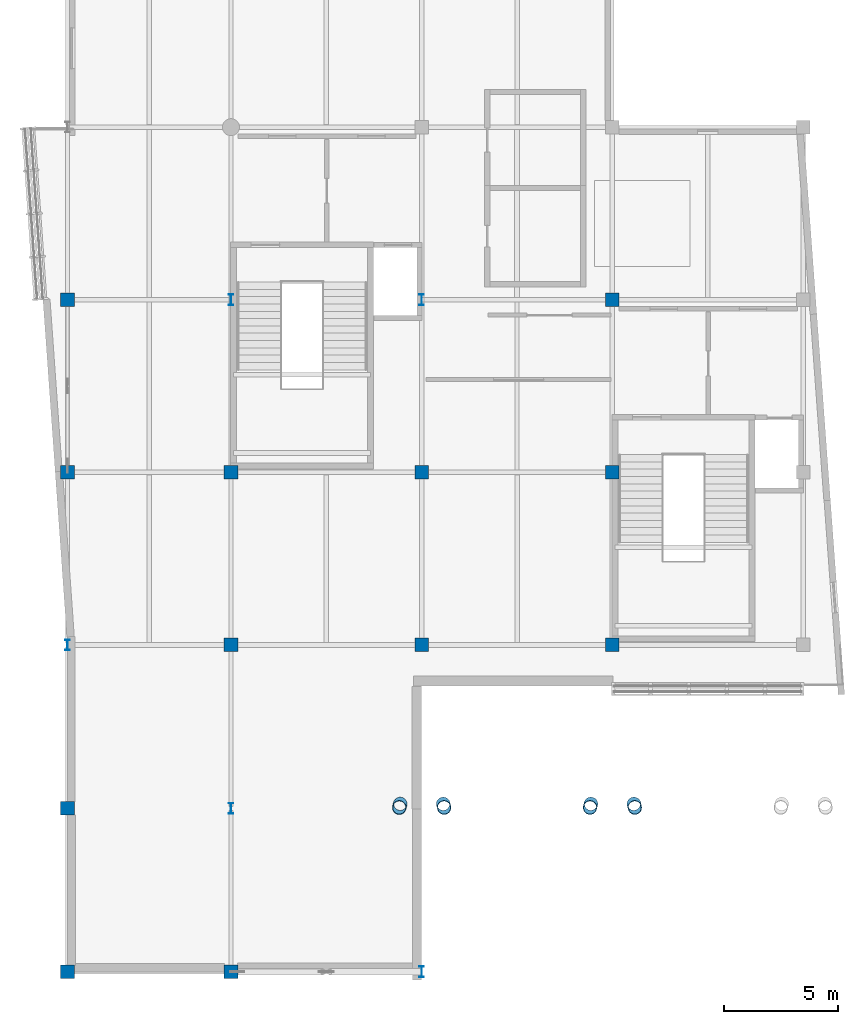
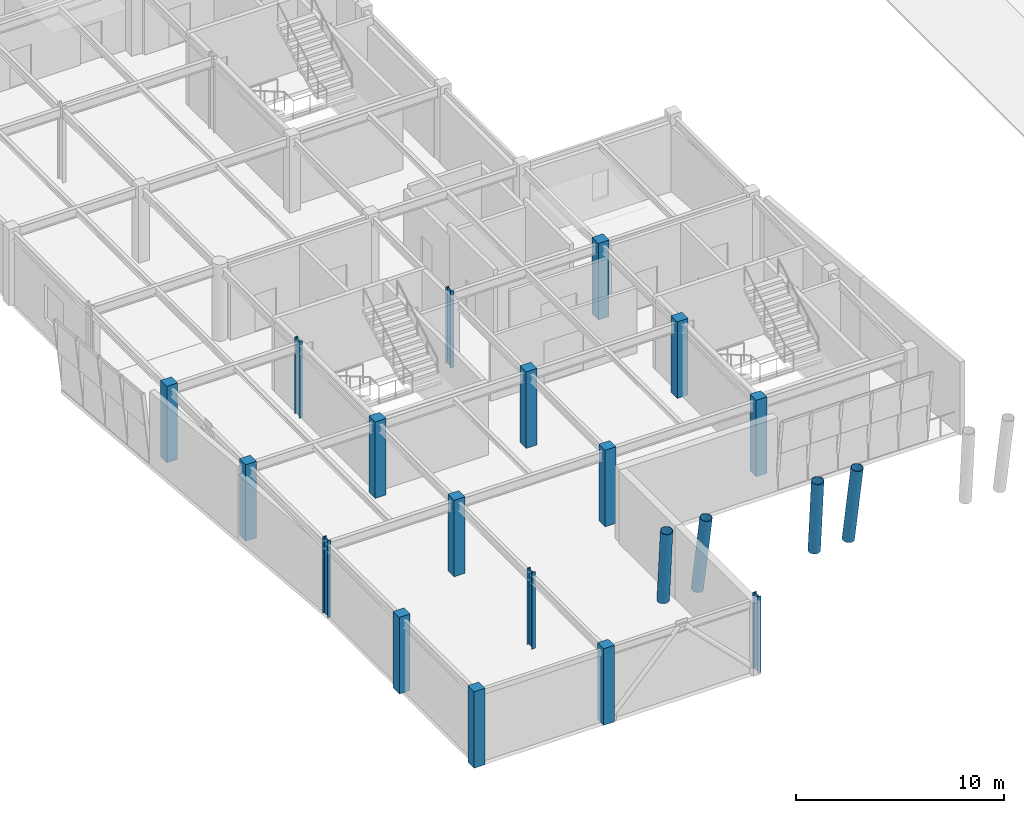
# One storey, part 1 of 28: 21 columns.
"""IFC4 building model written with IfcOpenShell, lengths in metres."""

import ifcopenshell
import ifcopenshell.guid

model = None  # the IFC model being written
_history = None  # IfcOwnerHistory: only IFC2X3 demands one
_inside = {}  # id of a spatial element -> (the spatial element, [elements in it])
_under = {}  # id of a project, library or spatial element -> (it, [spatial elements below it])
_declared = {}  # id of a project -> (the project, [libraries it declares])
_typed = {}  # id of a type object -> (the type object, [elements of that type])
_made_of = {}  # id of a material, layer set ... -> (it, [elements and type objects made of it])


def new_model(schema):
    """Start an empty IFC model of exactly this schema.

    Asked for "IFC4X3", IfcOpenShell would pick the latest addendum, in which some entities
    have other attributes; the version numbers below select the first issue.
    IFC2X3 requires an IfcOwnerHistory on every rooted entity: one is made here for all.
    """
    global model, _history
    if schema == "IFC4X3":
        model = ifcopenshell.file(schema_version=(4, 3, 0, 0))
    else:
        model = ifcopenshell.file(schema=schema)
    _inside.clear()
    _under.clear()
    _declared.clear()
    _typed.clear()
    _made_of.clear()
    _history = None
    if model.schema == "IFC2X3":
        org = make("IfcOrganization", Name="unknown")
        user = make(
            "IfcPersonAndOrganization",
            ThePerson=make("IfcPerson", FamilyName="unknown"),
            TheOrganization=org,
        )
        app = make(
            "IfcApplication",
            ApplicationDeveloper=org,
            Version="unknown",
            ApplicationFullName="unknown",
            ApplicationIdentifier="unknown",
        )
        _history = make(
            "IfcOwnerHistory",
            OwningUser=user,
            OwningApplication=app,
            ChangeAction="ADDED",
            CreationDate=0,
        )
    return model


def make(cls, **values):
    """One entity of the class cls with the attributes given. An attribute that is None is left unset."""
    return model.create_entity(
        cls, **{name: value for name, value in values.items() if value is not None}
    )


def rooted(cls, **values):
    """An entity with a GlobalId (a new one), such as an element, a storey or a relation."""
    return make(cls, GlobalId=ifcopenshell.guid.new(), OwnerHistory=_history, **values)


def si_unit(unit_type, name, prefix=None):
    """IfcSIUnit, for example si_unit("LENGTHUNIT", "METRE", prefix="MILLI")."""
    return make("IfcSIUnit", UnitType=unit_type, Prefix=prefix, Name=name)


def assignment(units):
    """IfcUnitAssignment: the units of a project."""
    return None if units is None else make("IfcUnitAssignment", Units=units)


def point(xyz):
    """IfcCartesianPoint."""
    return None if xyz is None else make("IfcCartesianPoint", Coordinates=xyz)


def direction(xyz):
    """IfcDirection."""
    return None if xyz is None else make("IfcDirection", DirectionRatios=xyz)


def frame(location, z_axis=None, x_axis=None):
    """IfcAxis2Placement3D, a coordinate frame: its origin and axes. An axis left out is left unset."""
    return make(
        "IfcAxis2Placement3D",
        Location=point(location),
        Axis=direction(z_axis),
        RefDirection=direction(x_axis),
    )


def frame_2d(location, x_axis=None):
    """IfcAxis2Placement2D, a coordinate frame in the plane: its origin and x axis."""
    return make(
        "IfcAxis2Placement2D", Location=point(location), RefDirection=direction(x_axis)
    )


def origin():
    """The frame at (0, 0, 0) with its axes left unset."""
    return frame((0.0, 0.0, 0.0))


def origin_2d():
    """The frame at (0, 0) in the plane with its x axis left unset."""
    return frame_2d((0.0, 0.0))


def place(relative_to, where):
    """IfcLocalPlacement: puts the frame where relative to a parent placement (None: the world)."""
    return make(
        "IfcLocalPlacement", PlacementRelTo=relative_to, RelativePlacement=where
    )


def context(
    kind, dimensions, precision=None, world=None, true_north=None, identifier=None
):
    """IfcGeometricRepresentationContext, for example the 3D "Model" context."""
    return make(
        "IfcGeometricRepresentationContext",
        ContextIdentifier=identifier,
        ContextType=kind,
        CoordinateSpaceDimension=dimensions,
        Precision=precision,
        WorldCoordinateSystem=world,
        TrueNorth=true_north,
    )


def subcontext(parent, identifier, kind, view, scale=None):
    """IfcGeometricRepresentationSubContext, for example "Body" below "Model"."""
    return make(
        "IfcGeometricRepresentationSubContext",
        ContextIdentifier=identifier,
        ContextType=kind,
        ParentContext=parent,
        TargetScale=scale,
        TargetView=view,
    )


def project(units=None, contexts=None):
    """IfcProject with its units and contexts."""
    return rooted(
        "IfcProject",
        Name="project",
        RepresentationContexts=contexts,
        UnitsInContext=assignment(units),
    )


def spatial(cls, under=None, at=None, **own):
    """A site, building, storey or space (cls), placed at a placement, below another one or the project."""
    s = rooted(cls, ObjectPlacement=at, **own)
    if under is not None:
        _under.setdefault(under.id(), (under, []))[1].append(s)
    return s


def profile(cls, at=None, kind="AREA", **sizes):
    """A parametric profile (cls). Its sizes go by their IFC names, for example OverallWidth=200.0."""
    return make(cls, ProfileType=kind, Position=at, **sizes)


def rectangle(**sizes):
    """IfcRectangleProfileDef."""
    return profile("IfcRectangleProfileDef", **sizes)


def hollow_circle(**sizes):
    """IfcCircleHollowProfileDef."""
    return profile("IfcCircleHollowProfileDef", **sizes)


def i_section(**sizes):
    """IfcIShapeProfileDef."""
    return profile("IfcIShapeProfileDef", **sizes)


def extrude(swept, where, along, depth):
    """IfcExtrudedAreaSolid: the profile swept, set in the frame where, extruded along a direction by depth."""
    return make(
        "IfcExtrudedAreaSolid",
        SweptArea=swept,
        Position=where,
        ExtrudedDirection=direction(along),
        Depth=depth,
    )


def shape(context_of_items, identifier, shape_type, items):
    """IfcShapeRepresentation: the items that make up one representation, for example the "Body"."""
    return make(
        "IfcShapeRepresentation",
        ContextOfItems=context_of_items,
        RepresentationIdentifier=identifier,
        RepresentationType=shape_type,
        Items=items,
    )


def material(Name=None, Category=None):
    """IfcMaterial."""
    return make("IfcMaterial", Name=Name, Category=Category)


def material_profile(
    of_material, cross_section, Name=None, Category=None, Priority=None
):
    """IfcMaterialProfile: a cross section and its material."""
    return make(
        "IfcMaterialProfile",
        Name=Name,
        Material=of_material,
        Profile=cross_section,
        Priority=Priority,
        Category=Category,
    )


def profile_set(profiles, Name=None, composite=None):
    """IfcMaterialProfileSet."""
    return make(
        "IfcMaterialProfileSet",
        Name=Name,
        MaterialProfiles=profiles,
        CompositeProfile=composite,
    )


def made_of(thing, what):
    """Note that an element or type object is made of a material, layer set ...; save() writes the relation."""
    if what is not None:
        _made_of.setdefault(what.id(), (what, []))[1].append(thing)
    return thing


def type_object(cls, material=None, **own):
    """A type object (cls), such as IfcWallType, which elements share."""
    return made_of(rooted(cls, **own), material)


def element(
    cls,
    number,
    at=None,
    inside=None,
    cuts=None,
    type_object=None,
    material=None,
    context=None,
    identifier="Body",
    shape_type=None,
    held_by="IfcProductDefinitionShape",
    body=None,
    shapes=None,
    **own,
):
    """One element of the class cls, such as IfcWall. Its Tag is "e" and its number.

    at: its placement. inside: the storey or other place that contains it. cuts: it is an
    opening in that element (IfcRelVoidsElement). A single representation is given by context,
    identifier, shape_type and body (its items); several are given by shapes. held_by: the class
    of the entity that holds the representations. save() writes the other relations.
    """
    e = rooted(cls, Tag="e%d" % number, ObjectPlacement=at, **own)
    if body is not None:
        shapes = [shape(context, identifier, shape_type, body)]
    if shapes is not None:
        e.Representation = make(held_by, Representations=shapes)
    if inside is not None:
        _inside.setdefault(inside.id(), (inside, []))[1].append(e)
    if cuts is not None:
        rooted(
            "IfcRelVoidsElement", RelatingBuildingElement=cuts, RelatedOpeningElement=e
        )
    if type_object is not None:
        _typed.setdefault(type_object.id(), (type_object, []))[1].append(e)
    return made_of(e, material)


def aggregate(whole, parts):
    """IfcRelAggregates: a whole, such as a stair, and the parts it consists of."""
    return rooted("IfcRelAggregates", RelatingObject=whole, RelatedObjects=parts)


def save(model, path):
    """Write the relations noted so far, then the file.

    IfcRelAggregates (storeys below a building ...), IfcRelContainedInSpatialStructure (elements
    in a storey), IfcRelDefinesByType, IfcRelAssociatesMaterial and IfcRelDeclares: one each for
    every whole, place, type object, material and project.
    """
    for whole, parts in _under.values():
        aggregate(whole, parts)
    for where, things in _inside.values():
        rooted(
            "IfcRelContainedInSpatialStructure",
            RelatedElements=things,
            RelatingStructure=where,
        )
    for kind, things in _typed.values():
        rooted("IfcRelDefinesByType", RelatedObjects=things, RelatingType=kind)
    for what, things in _made_of.values():
        rooted("IfcRelAssociatesMaterial", RelatedObjects=things, RelatingMaterial=what)
    for by, libraries in _declared.values():
        rooted("IfcRelDeclares", RelatingContext=by, RelatedDefinitions=libraries)
    model.write(path)


model = new_model("IFC4")

# Units and contexts
model_context = context("Model", 3, precision=1e-05, world=origin(), true_north=direction((0.0, 1.0)))
body_context = subcontext(model_context, "Body", "Model", "MODEL_VIEW")
ifc_project = project(units=[si_unit("LENGTHUNIT", "METRE"), si_unit("AREAUNIT", "SQUARE_METRE"), si_unit("VOLUMEUNIT", "CUBIC_METRE"), si_unit("PLANEANGLEUNIT", "RADIAN"), si_unit("MASSUNIT", "GRAM", prefix="KILO")], contexts=[model_context])

# Site, building, storey
site_placement = place(None, origin())
site = spatial("IfcSite", under=ifc_project, at=site_placement, CompositionType="ELEMENT")
building_placement = place(site_placement, origin())
building = spatial("IfcBuilding", under=site, at=building_placement, Name="Xicomal Pleat Aquarium", CompositionType="ELEMENT")
storey_placement = place(building_placement, frame((0.0, 0.0, 15.300048828125)))
storey = spatial("IfcBuildingStorey", under=building, at=storey_placement, Name="L04", CompositionType="ELEMENT", Elevation=15.300048828125)

# Columns
ifc_material_1 = material(Name="Concrete C40/50", Category="concrete")
ifc_material_profile_1 = material_profile(ifc_material_1, rectangle(XDim=0.60009765625, YDim=0.60009765625, at=origin_2d()), Name="RC 600x600")
ifc_profile_set_1 = profile_set([ifc_material_profile_1], Name="Concrete C40/50")
column_type_1 = type_object("IfcColumnType", Name="COL-RC-600x600", PredefinedType="COLUMN", material=ifc_profile_set_1)
for number, where, z_axis, x_axis, name in (
    (1, (3.0, 0.800048828125, 0.0), (0.0, 0.0, 1.0), (1.0, 0.0, 0.0), "L04 column 01/A"),
    (2, (3.0, 8.0, 0.0), (0.0, 0.0, 1.0), (1.0, 0.0, 0.0), "L04 column 01/B"),
    (3, (3.0, 22.800048828125, 0.0), (0.0, 0.0, 1.0), (1.0, 0.0, 0.0), "L04 column 01/D"),
    (4, (3.0, 30.39990234375, 0.0), (0.0, 0.0, 1.0), (1.0, 0.0, 0.0), "L04 column 01/E"),
    (5, (10.199951171875, 0.800048828125, 0.0), (0.0, 0.0, 1.0), (1.0, 0.0, 0.0), "L04 column 02/A"),
    (6, (10.199951171875, 15.199951171875, 0.0), (0.0, 0.0, 1.0), (1.0, 0.0, 0.0), "L04 column 02/C"),
    (7, (10.199951171875, 22.800048828125, 0.0), (0.0, 0.0, 1.0), (1.0, 0.0, 0.0), "L04 column 02/D"),
    (8, (18.60009765625, 15.199951171875, 0.0), (0.0, 0.0, 1.0), (1.0, 0.0, 0.0), "L04 column 03/C"),
    (9, (18.60009765625, 22.800048828125, 0.0), (0.0, 0.0, 1.0), (1.0, 0.0, 0.0), "L04 column 03/D"),
    (10, (27.0, 15.199951171875, 0.0), (0.0, 0.0, 1.0), (1.0, 0.0, 0.0), "L04 column 04/C"),
    (11, (27.0, 22.800048828125, 0.0), (0.0, 0.0, 1.0), (1.0, 0.0, 0.0), "L04 column 04/D"),
    (12, (27.0, 30.39990234375, 0.0), (0.0, 0.0, 1.0), (1.0, 0.0, 0.0), "L04 column 04/E"),
):
    element("IfcColumn", number, at=place(storey_placement, frame(where, z_axis=z_axis, x_axis=x_axis)), inside=storey, type_object=column_type_1, Name=name, PredefinedType="COLUMN", context=body_context, shape_type="SweptSolid", body=[
        extrude(rectangle(XDim=0.60009765625, YDim=0.60009765625, at=origin_2d()), origin(), (0.0, 0.0, 1.0), 4.5),
    ])
ifc_material_2 = material(Name="Structural steel A992 Gr 50", Category="steel")
ifc_material_profile_2 = material_profile(ifc_material_2, i_section(OverallWidth=0.194091796875, OverallDepth=0.468994140625, WebThickness=0.0126953125, FlangeThickness=0.0205078125, at=origin_2d()), Name="IR 460x106")
ifc_profile_set_2 = profile_set([ifc_material_profile_2], Name="Structural steel A992 Gr 50")
column_type_2 = type_object("IfcColumnType", Name="COL-STL-IR460", PredefinedType="COLUMN", material=ifc_profile_set_2)
for number, where, z_axis, x_axis, name in (
    (13, (3.0, 15.199951171875, 0.0), (0.0, 0.0, 1.0), (1.0, 0.0, 0.0), "L04 column 01/C"),
    (14, (10.199951171875, 8.0, 0.0), (0.0, 0.0, 1.0), (1.0, 0.0, 0.0), "L04 column 02/B"),
    (15, (10.199951171875, 30.39990234375, 0.0), (0.0, 0.0, 1.0), (1.0, 0.0, 0.0), "L04 column 02/E"),
    (16, (18.60009765625, 0.800048828125, 0.0), (0.0, 0.0, 1.0), (1.0, 0.0, 0.0), "L04 column 03/A"),
    (17, (18.60009765625, 30.39990234375, 0.0), (0.0, 0.0, 1.0), (1.0, 0.0, 0.0), "L04 column 03/E"),
):
    element("IfcColumn", number, at=place(storey_placement, frame(where, z_axis=z_axis, x_axis=x_axis)), inside=storey, type_object=column_type_2, Name=name, PredefinedType="COLUMN", context=body_context, shape_type="SweptSolid", body=[
        extrude(i_section(OverallWidth=0.194091796875, OverallDepth=0.468994140625, WebThickness=0.0126953125, FlangeThickness=0.0205078125, at=origin_2d()), origin(), (0.0, 0.0, 1.0), 4.5),
    ])
ifc_material_3 = material(Name="Architectural steel ASTM A572 Gr 50", Category="steel")
ifc_material_profile_3 = material_profile(ifc_material_3, hollow_circle(Radius=0.304931640625, WallThickness=0.02392578125, at=origin_2d()), Name="OC 610x24")
ifc_profile_set_3 = profile_set([ifc_material_profile_3], Name="Architectural steel ASTM A572 Gr 50")
column_type_3 = type_object("IfcColumnType", Name="COL-STL-OC610", PredefinedType="COLUMN", material=ifc_profile_set_3)
for number, where, z_axis, x_axis, name in (
    (18, (17.652099609375, 8.18896484375, 0.005859375), (-0.032933883679, -0.130711404128, 0.990873295703), (0.96969393532, -0.244322884322, 0.0), "L04 entrance pavilion splayed steel column 03W"),
    (19, (19.548095703125, 8.18896484375, 0.005859375), (0.03288004039, -0.130711635976, 0.990875053256), (0.969788609122, 0.243946825387, 0.0), "L04 entrance pavilion splayed steel column 03E"),
    (20, (26.052001953125, 8.18896484375, 0.005859375), (-0.03288004039, -0.130711635976, 0.990875053256), (0.969788609122, -0.243946825387, 0.0), "L04 entrance pavilion splayed steel column 04W"),
    (21, (27.947998046875, 8.18896484375, 0.005859375), (0.03288004039, -0.130711635976, 0.990875053256), (0.969788609122, 0.243946825387, 0.0), "L04 entrance pavilion splayed steel column 04E"),
):
    element("IfcColumn", number, at=place(storey_placement, frame(where, z_axis=z_axis, x_axis=x_axis)), inside=storey, type_object=column_type_3, Name=name, PredefinedType="COLUMN", context=body_context, shape_type="SweptSolid", body=[
        extrude(hollow_circle(Radius=0.304931640625, WallThickness=0.02392578125, at=origin_2d()), origin(), (0.0, 0.0, 1.0), 4.529296875),
    ])

save(model, "model.ifc")
